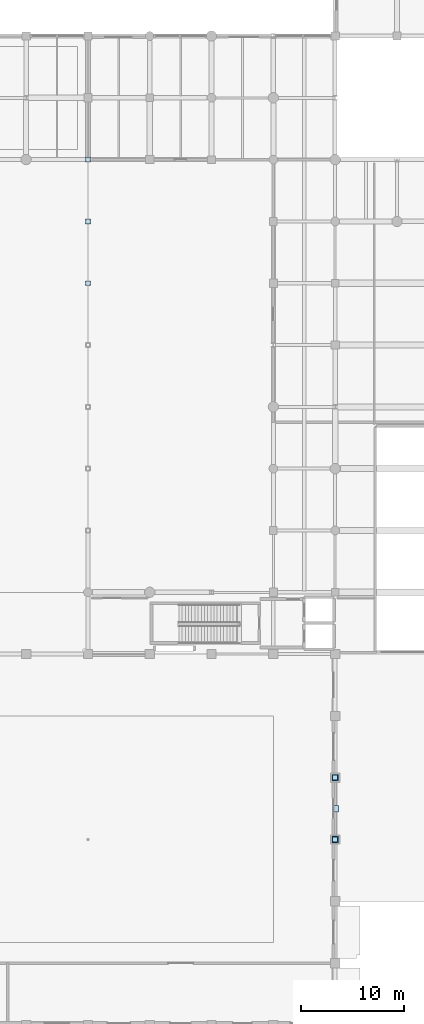
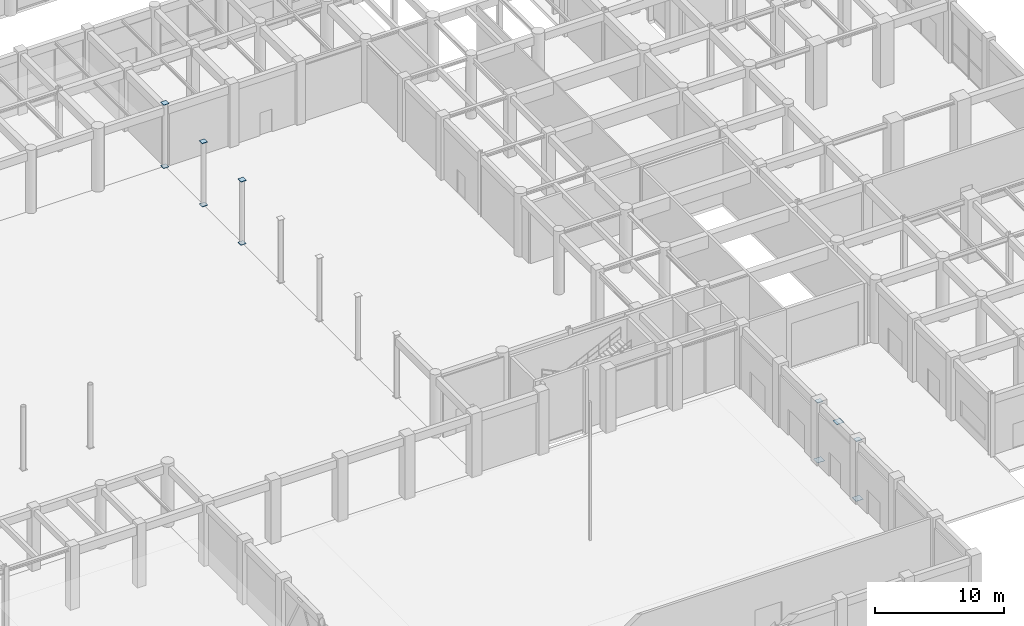
# One storey, part 77 of 106: 11 plates.
"""IFC4 building model written with IfcOpenShell, lengths in metres."""

from ifc_helpers import new_model, si_unit, direction, frame, origin, origin_2d, place, context, subcontext, project, spatial, rectangle, extrude, material, layer, layer_set, type_object, element, save


model = new_model("IFC4")

# Units and contexts
model_context = context("Model", 3, precision=1e-05, world=origin(), true_north=direction((0.0, 1.0)))
body_context = subcontext(model_context, "Body", "Model", "MODEL_VIEW")
ifc_project = project(units=[si_unit("LENGTHUNIT", "METRE"), si_unit("AREAUNIT", "SQUARE_METRE"), si_unit("VOLUMEUNIT", "CUBIC_METRE"), si_unit("PLANEANGLEUNIT", "RADIAN"), si_unit("MASSUNIT", "GRAM", prefix="KILO"), si_unit("THERMODYNAMICTEMPERATUREUNIT", "KELVIN"), si_unit("POWERUNIT", "WATT")], contexts=[model_context])

# Site, building, storey
site_placement = place(None, origin())
site = spatial("IfcSite", under=ifc_project, at=site_placement, CompositionType="ELEMENT")
building_placement = place(site_placement, origin())
building = spatial("IfcBuilding", under=site, at=building_placement, Name="Phaisarnlok Congress Hotel", CompositionType="ELEMENT")
storey_placement = place(building_placement, origin())
storey = spatial("IfcBuildingStorey", under=building, at=storey_placement, Name="L00", CompositionType="ELEMENT", Elevation=0.0)

# Plates
ifc_material = material(Name="Steel S355", Category="steel")
ifc_layer_1 = layer(ifc_material, 0.0400390625, Name="Steel S355")
ifc_layer_set_1 = layer_set([ifc_layer_1], Name="Steel S355")
plate_type_1 = type_object("IfcPlateType", Name="PLT-CAP-480", PredefinedType="SHEET", material=ifc_layer_set_1)
for number, where, z_axis, x_axis, name in (
    (1, (120.0, 72.0, -0.02001953125), (0.0, 0.0, 1.0), (1.0, 0.0, 0.0), "Steel column cap/base plate NP-04 at NP-COLB-COL-L00-120-072"),
    (2, (120.0, 72.0, 5.97998046875), (0.0, 0.0, 1.0), (1.0, 0.0, 0.0), "Steel column cap/base plate NP-04 at NP-COLT-COL-L00-120-072"),
    (3, (120.0, 78.0, -0.02001953125), (0.0, 0.0, 1.0), (1.0, 0.0, 0.0), "Steel column cap/base plate NP-04 at NP-COLB-COL-L00-120-078"),
    (4, (120.0, 78.0, 5.97998046875), (0.0, 0.0, 1.0), (1.0, 0.0, 0.0), "Steel column cap/base plate NP-04 at NP-COLT-COL-L00-120-078"),
    (5, (120.0, 84.0, -0.02001953125), (0.0, 0.0, 1.0), (1.0, 0.0, 0.0), "Steel column cap/base plate NP-04 at NP-COLB-COL-L00-120-084"),
    (6, (120.0, 84.0, 5.97998046875), (0.0, 0.0, 1.0), (1.0, 0.0, 0.0), "Steel column cap/base plate NP-04 at NP-COLT-COL-L00-120-084"),
):
    element("IfcPlate", number, at=place(storey_placement, frame(where, z_axis=z_axis, x_axis=x_axis)), inside=storey, type_object=plate_type_1, Name=name, PredefinedType="SHEET", context=body_context, shape_type="SweptSolid", body=[
        extrude(rectangle(XDim=0.47998046875, YDim=0.47998046875, at=origin_2d()), origin(), (0.0, 0.0, 1.0), 0.0400390625),
    ])
ifc_layer_2 = layer(ifc_material, 0.01611328125, Name="Steel S355")
ifc_layer_set_2 = layer_set([ifc_layer_2], Name="Steel S355")
plate_type_2 = type_object("IfcPlateType", Name="PLT-GUS-650", PredefinedType="SHEET", material=ifc_layer_set_2)
for number, where, z_axis, x_axis, name in (
    (7, (144.0, 18.0, 0.141845703125), (0.0, 0.0, 1.0), (1.0, 0.0, 0.0), "Steel truss node plate NP-05 at NP-BF-D-L00-A"),
    (8, (144.0, 24.0, 0.141845703125), (0.0, 0.0, 1.0), (1.0, 0.0, 0.0), "Steel truss node plate NP-05 at NP-BF-D-L00-B"),
    (9, (144.0, 21.0, 5.612060546875), (0.0, 0.0, 1.0), (1.0, 0.0, 0.0), "Steel truss node plate NP-05 at NP-BF-D-L00-M"),
):
    element("IfcPlate", number, at=place(storey_placement, frame(where, z_axis=z_axis, x_axis=x_axis)), inside=storey, type_object=plate_type_2, Name=name, PredefinedType="SHEET", context=body_context, shape_type="SweptSolid", body=[
        extrude(rectangle(XDim=0.64990234375, YDim=0.64990234375, at=origin_2d()), origin(), (0.0, 0.0, 1.0), 0.01611328125),
    ])
ifc_layer_3 = layer(ifc_material, 0.02001953125, Name="Steel S355")
ifc_layer_set_3 = layer_set([ifc_layer_3], Name="Steel S355")
plate_type_3 = type_object("IfcPlateType", Name="PLT-NODE-480", PredefinedType="SHEET", material=ifc_layer_set_3)
for number, where, z_axis, x_axis, name in (
    (10, (144.0, 18.0, 5.72998046875), (0.0, 0.0, 1.0), (1.0, 0.0, 0.0), "Steel truss node plate NP-03 at NP-BF-D-L00-T1"),
    (11, (144.0, 24.0, 5.72998046875), (0.0, 0.0, 1.0), (1.0, 0.0, 0.0), "Steel truss node plate NP-03 at NP-BF-D-L00-T2"),
):
    element("IfcPlate", number, at=place(storey_placement, frame(where, z_axis=z_axis, x_axis=x_axis)), inside=storey, type_object=plate_type_3, Name=name, PredefinedType="SHEET", context=body_context, shape_type="SweptSolid", body=[
        extrude(rectangle(XDim=0.47998046875, YDim=0.47998046875, at=origin_2d()), origin(), (0.0, 0.0, 1.0), 0.02001953125),
    ])

save(model, "model.ifc")
